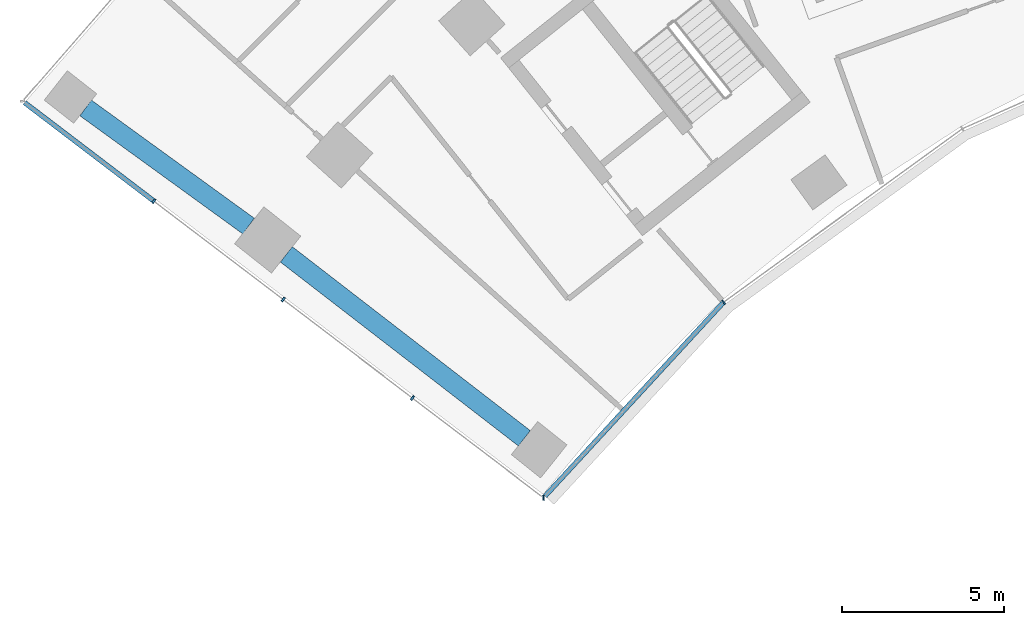
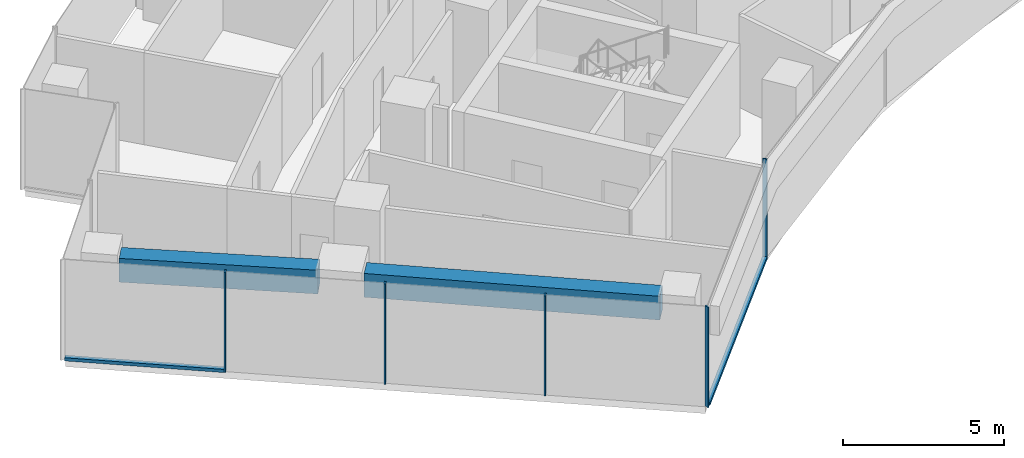
# One storey, part 2 of 21: 7 members, 2 beams, 2 elements without a shape of their own.
"""IFC4 building model written with IfcOpenShell, lengths in metres."""

from ifc_helpers import new_model, si_unit, direction, frame, origin, origin_2d, place, context, subcontext, project, spatial, rectangle, extrude, material, layer, layer_set, material_profile, profile_set, type_object, element, aggregate, save


model = new_model("IFC4")

# Units and contexts
model_context = context("Model", 3, precision=1e-05, world=origin(), true_north=direction((0.0, 1.0)))
body_context = subcontext(model_context, "Body", "Model", "MODEL_VIEW")
ifc_project = project(units=[si_unit("LENGTHUNIT", "METRE"), si_unit("AREAUNIT", "SQUARE_METRE"), si_unit("VOLUMEUNIT", "CUBIC_METRE"), si_unit("PLANEANGLEUNIT", "RADIAN"), si_unit("MASSUNIT", "GRAM", prefix="KILO")], contexts=[model_context])

# Site, building, storey
site_placement = place(None, origin())
site = spatial("IfcSite", under=ifc_project, at=site_placement, CompositionType="ELEMENT")
building_placement = place(site_placement, origin())
building = spatial("IfcBuilding", under=site, at=building_placement, Name="Stone Belt Terrace Tower", CompositionType="ELEMENT")
storey_placement = place(building_placement, frame((0.0, 0.0, 94.60009765625)))
storey = spatial("IfcBuildingStorey", under=building, at=storey_placement, Name="L22", CompositionType="ELEMENT", Elevation=94.60009765625)

# Curtain wall, members
ifc_material_1 = material(Name="Aluminium 6063-T6 anodised frame", Category="aluminium")
ifc_layer_1 = layer(ifc_material_1, 0.14990234375)
ifc_layer_set_1 = layer_set([ifc_layer_1], Name="CW-B unitised concave-face curtain wall")
curtain_wall_type_1 = type_object("IfcCurtainWallType", Name="CW-B unitised concave-face curtain wall", PredefinedType="NOTDEFINED", material=ifc_layer_set_1)
curtain_wall_1_placement = place(storey_placement, origin())
curtain_wall_1 = element("IfcCurtainWall", 1, at=curtain_wall_1_placement, inside=storey, type_object=curtain_wall_type_1, Name="CW-B concave face L22", PredefinedType="NOTDEFINED")
ifc_material_profile_1 = material_profile(ifc_material_1, rectangle(XDim=0.14990234375, YDim=0.050048828125, at=origin_2d()), Name="Aluminium 6063-T6 50x150")
ifc_profile_set_1 = profile_set([ifc_material_profile_1], Name="Aluminium 6063-T6 anodised frame")
member_type_1 = type_object("IfcMemberType", Name="CW-B mullion 50 x 150", PredefinedType="MULLION", material=ifc_profile_set_1)
member_1_placement = place(storey_placement, frame((-34.599853515625, 26.252197265625, 0.0), z_axis=(0.0, 0.0, 1.0), x_axis=(-0.087748408803, 0.996142668875, 0.0)))
member_1 = element("IfcMember", 2, at=member_1_placement, type_object=member_type_1, Name="CW-B mullion 1", PredefinedType="MULLION", context=body_context, shape_type="SweptSolid", body=[
    extrude(rectangle(XDim=0.14990234375, YDim=0.050048828125, at=origin_2d()), origin(), (0.0, 0.0, 1.0), 3.7998046875),
])
member_2_placement = place(storey_placement, frame((-29.05712890625, 32.2705078125, 0.0), z_axis=(0.0, 0.0, 1.0), x_axis=(-0.664943998932, 0.746893217458, 0.0)))
member_2 = element("IfcMember", 3, at=member_2_placement, type_object=member_type_1, Name="CW-B mullion 2", PredefinedType="MULLION", context=body_context, shape_type="SweptSolid", body=[
    extrude(rectangle(XDim=0.14990234375, YDim=0.050048828125, at=origin_2d()), origin(), (0.0, 0.0, 1.0), 3.7998046875),
])
ifc_material_profile_2 = material_profile(ifc_material_1, rectangle(XDim=0.14990234375, YDim=0.1201171875, at=origin_2d()), Name="Aluminium 6063-T6 150x120")
ifc_profile_set_2 = profile_set([ifc_material_profile_2], Name="Aluminium 6063-T6 anodised frame")
member_type_2 = type_object("IfcMemberType", Name="CW-B transom 120 x 150", PredefinedType="USERDEFINED", material=ifc_profile_set_2)
member_3_placement = place(storey_placement, frame((-34.552978515625, 26.302978515625, 0.059814453125), z_axis=(0.677443921984, 0.73557442354, 0.0), x_axis=(-0.73557442354, 0.677443921984, 0.0)))
member_3 = element("IfcMember", 4, at=member_3_placement, type_object=member_type_2, Name="CW-B transom 1.1", ObjectType="TRANSOM", PredefinedType="USERDEFINED", context=body_context, shape_type="SweptSolid", body=[
    extrude(rectangle(XDim=0.14990234375, YDim=0.1201171875, at=origin_2d()), origin(), (0.0, 0.0, 1.0), 8.08056640625),
])
aggregate(curtain_wall_1, [member_1, member_2, member_3])

ifc_layer_2 = layer(ifc_material_1, 0.14990234375)
ifc_layer_set_2 = layer_set([ifc_layer_2], Name="CW-C stick curtain wall, horn ends and notches")
curtain_wall_type_2 = type_object("IfcCurtainWallType", Name="CW-C stick curtain wall, horn ends and notches", PredefinedType="NOTDEFINED", material=ifc_layer_set_2)
curtain_wall_2_placement = place(storey_placement, origin())
curtain_wall_2 = element("IfcCurtainWall", 5, at=curtain_wall_2_placement, inside=storey, type_object=curtain_wall_type_2, Name="CW-C end face L22", PredefinedType="NOTDEFINED")
ifc_material_profile_3 = material_profile(ifc_material_1, rectangle(XDim=0.14990234375, YDim=0.06005859375, at=origin_2d()), Name="Aluminium 6063-T6 60x150")
ifc_profile_set_3 = profile_set([ifc_material_profile_3], Name="Aluminium 6063-T6 anodised frame")
member_type_3 = type_object("IfcMemberType", Name="CW-C mullion 60 x 150", PredefinedType="MULLION", material=ifc_profile_set_3)
member_4_placement = place(storey_placement, frame((-46.588134765625, 35.380859375, 0.0), z_axis=(0.0, 0.0, 1.0), x_axis=(0.605820156644, 0.795601620036, 0.0)))
member_4 = element("IfcMember", 6, at=member_4_placement, type_object=member_type_3, Name="CW-C mullion 2", PredefinedType="MULLION", context=body_context, shape_type="SweptSolid", body=[
    extrude(rectangle(XDim=0.14990234375, YDim=0.06005859375, at=origin_2d()), origin(), (0.0, 0.0, 1.0), 3.7998046875),
])
member_5_placement = place(storey_placement, frame((-42.610107421875, 32.351806640625, 0.0), z_axis=(0.0, 0.0, 1.0), x_axis=(0.605820156644, 0.795601620036, 0.0)))
member_5 = element("IfcMember", 7, at=member_5_placement, type_object=member_type_3, Name="CW-C mullion 3", PredefinedType="MULLION", context=body_context, shape_type="SweptSolid", body=[
    extrude(rectangle(XDim=0.14990234375, YDim=0.06005859375, at=origin_2d()), origin(), (0.0, 0.0, 1.0), 3.7998046875),
])
member_6_placement = place(storey_placement, frame((-38.632080078125, 29.322509765625, 0.0), z_axis=(0.0, 0.0, 1.0), x_axis=(0.605820156644, 0.795601620036, 0.0)))
member_6 = element("IfcMember", 8, at=member_6_placement, type_object=member_type_3, Name="CW-C mullion 4", PredefinedType="MULLION", context=body_context, shape_type="SweptSolid", body=[
    extrude(rectangle(XDim=0.14990234375, YDim=0.06005859375, at=origin_2d()), origin(), (0.0, 0.0, 1.0), 3.7998046875),
])
ifc_material_profile_4 = material_profile(ifc_material_1, rectangle(XDim=0.14990234375, YDim=0.1201171875, at=origin_2d()), Name="Aluminium 6063-T6 150x120")
ifc_profile_set_4 = profile_set([ifc_material_profile_4], Name="Aluminium 6063-T6 anodised frame")
member_type_4 = type_object("IfcMemberType", Name="CW-C transom 120 x 150", PredefinedType="USERDEFINED", material=ifc_profile_set_4)
member_7_placement = place(storey_placement, frame((-50.570068359375, 38.412841796875, 0.059814453125), z_axis=(0.795597290683, -0.605825842184, 0.0), x_axis=(0.605825842184, 0.795597290683, 0.0)))
member_7 = element("IfcMember", 9, at=member_7_placement, type_object=member_type_4, Name="CW-C transom 1.1", ObjectType="TRANSOM", PredefinedType="USERDEFINED", context=body_context, shape_type="SweptSolid", body=[
    extrude(rectangle(XDim=0.14990234375, YDim=0.1201171875, at=origin_2d()), origin(), (0.0, 0.0, 1.0), 4.974853515625),
])
aggregate(curtain_wall_2, [member_4, member_5, member_6, member_7])

# Beams
ifc_material_2 = material(Name="Concrete B60", Category="concrete")
ifc_material_profile_5 = material_profile(ifc_material_2, rectangle(XDim=0.60009765625, YDim=0.89990234375, at=origin_2d()), Name="RC 600x900")
ifc_profile_set_5 = profile_set([ifc_material_profile_5], Name="Concrete B60")
beam_type = type_object("IfcBeamType", Name="Edge beam RC 600x900 B60", PredefinedType="SPANDREL", material=ifc_profile_set_5)
beam_1_placement = place(storey_placement, frame((-35.1884765625, 28.081787109375, 3.02978515625), z_axis=(-0.791285581483, 0.61144675037, 0.0), x_axis=(-0.61144675037, -0.791285581483, 0.0)))
element("IfcBeam", 10, at=beam_1_placement, inside=storey, type_object=beam_type, Name="Edge beam L22 A P to Q", PredefinedType="SPANDREL", context=body_context, shape_type="SweptSolid", body=[
    extrude(rectangle(XDim=0.60009765625, YDim=0.89990234375, at=origin_2d()), origin(), (0.0, 0.0, 1.0), 9.255859375),
])
beam_2_placement = place(storey_placement, frame((-43.673583984375, 34.610595703125, 3.02978515625), z_axis=(-0.809517715387, 0.587095450905, 0.0), x_axis=(-0.587095450905, -0.809517715387, 0.0)))
element("IfcBeam", 11, at=beam_2_placement, inside=storey, type_object=beam_type, Name="Edge beam L22 A Q to R", PredefinedType="SPANDREL", context=body_context, shape_type="SweptSolid", body=[
    extrude(rectangle(XDim=0.60009765625, YDim=0.89990234375, at=origin_2d()), origin(), (0.0, 0.0, 1.0), 6.194091796875),
])

save(model, "model.ifc")
